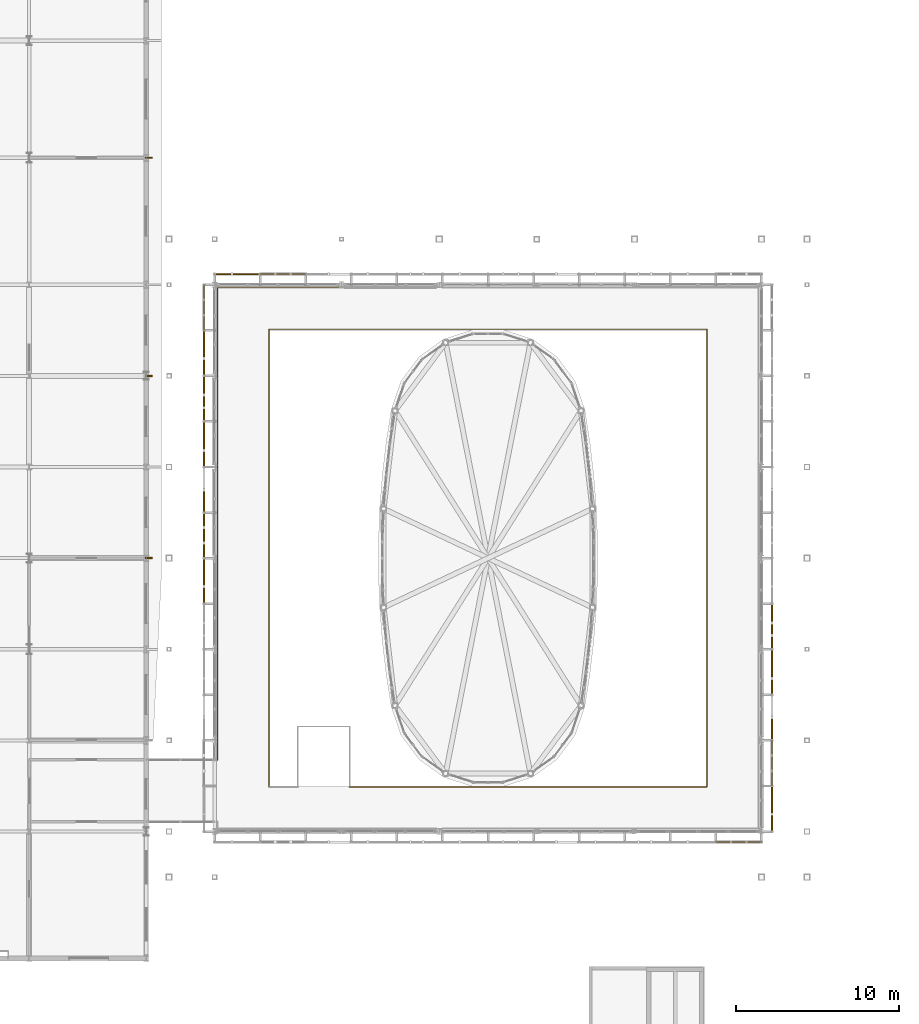
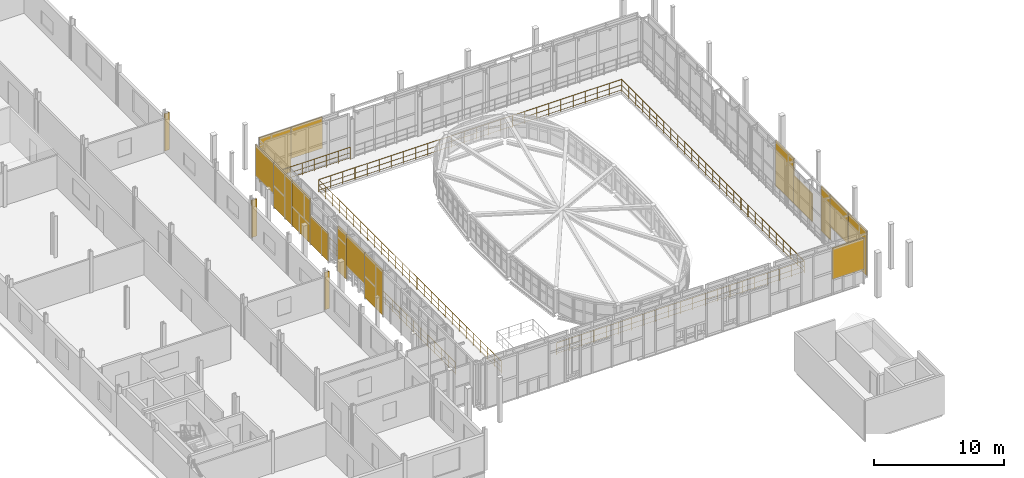
# One storey, part 74 of 78: 18 shading devices, 2 railings.
"""IFC4 building model written with IfcOpenShell, lengths in metres."""

from ifc_helpers import new_model, si_unit, direction, frame, origin, origin_2d, place, context, subcontext, project, spatial, rectangle, circle, extrude, material, type_object, element, save


model = new_model("IFC4")

# Units and contexts
model_context = context("Model", 3, precision=1e-05, world=origin(), true_north=direction((0.0, 1.0)))
body_context = subcontext(model_context, "Body", "Model", "MODEL_VIEW")
ifc_project = project(units=[si_unit("LENGTHUNIT", "METRE"), si_unit("AREAUNIT", "SQUARE_METRE"), si_unit("VOLUMEUNIT", "CUBIC_METRE"), si_unit("PLANEANGLEUNIT", "RADIAN"), si_unit("MASSUNIT", "GRAM", prefix="KILO")], contexts=[model_context])

# Site, building, storey
site_placement = place(None, origin())
site = spatial("IfcSite", under=ifc_project, at=site_placement, CompositionType="ELEMENT")
building_placement = place(site_placement, origin())
building = spatial("IfcBuilding", under=site, at=building_placement, Name="Vinh Khe Railworks Police Headquarters", CompositionType="ELEMENT")
storey_placement = place(building_placement, frame((0.0, 0.0, 13.199951171875)))
storey = spatial("IfcBuildingStorey", under=building, at=storey_placement, Name="L03", CompositionType="ELEMENT", Elevation=13.199951171875)

# Railings
ifc_material_1 = material(Name="Dark steel and laminated safety glass", Category="steel")
railing_type = type_object("IfcRailingType", Name="RL-ATRIUM-1150", PredefinedType="BALUSTRADE", material=ifc_material_1)
railing_1_placement = place(storey_placement, frame((29.739990234375, 27.93994140625, 0.0)))
element("IfcRailing", 1, at=railing_1_placement, inside=storey, type_object=railing_type, Name="Atrium Balustrade GR-V1HOLE-L03-1-01", PredefinedType="BALUSTRADE", context=body_context, shape_type="SweptSolid", body=[
    extrude(circle(Radius=0.02392578125, at=origin_2d()), frame((0.0, 0.0, 1.1259765625), z_axis=(0.0, 1.0, 0.0), x_axis=(-1.0, 0.0, 0.0)), (0.0, 0.0, 1.0), 28.1201171875),
    extrude(circle(Radius=0.01416015625, at=origin_2d()), frame((0.0, 0.0, 0.137939453125), z_axis=(0.0, 1.0, 0.0), x_axis=(-1.0, 0.0, 0.0)), (0.0, 0.0, 1.0), 28.1201171875),
    extrude(circle(Radius=0.01416015625, at=origin_2d()), frame((0.0, 0.0, 0.597900390625), z_axis=(0.0, 1.0, 0.0), x_axis=(-1.0, 0.0, 0.0)), (0.0, 0.0, 1.0), 28.1201171875),
    extrude(circle(Radius=0.02392578125, at=origin_2d()), frame((0.0, 28.1201171875, 1.1259765625), z_axis=(1.0, 0.0, 0.0), x_axis=(0.0, 1.0, 0.0)), (0.0, 0.0, 1.0), 26.919921875),
    extrude(circle(Radius=0.01416015625, at=origin_2d()), frame((0.0, 28.1201171875, 0.137939453125), z_axis=(1.0, 0.0, 0.0), x_axis=(0.0, 1.0, 0.0)), (0.0, 0.0, 1.0), 26.919921875),
    extrude(circle(Radius=0.01416015625, at=origin_2d()), frame((0.0, 28.1201171875, 0.597900390625), z_axis=(1.0, 0.0, 0.0), x_axis=(0.0, 1.0, 0.0)), (0.0, 0.0, 1.0), 26.919921875),
    extrude(circle(Radius=0.02392578125, at=origin_2d()), frame((26.919921875, 28.1201171875, 1.1259765625), z_axis=(0.0, -1.0, 0.0), x_axis=(1.0, 0.0, 0.0)), (0.0, 0.0, 1.0), 28.1201171875),
    extrude(circle(Radius=0.01416015625, at=origin_2d()), frame((26.919921875, 28.1201171875, 0.137939453125), z_axis=(0.0, -1.0, 0.0), x_axis=(1.0, 0.0, 0.0)), (0.0, 0.0, 1.0), 28.1201171875),
    extrude(circle(Radius=0.01416015625, at=origin_2d()), frame((26.919921875, 28.1201171875, 0.597900390625), z_axis=(0.0, -1.0, 0.0), x_axis=(1.0, 0.0, 0.0)), (0.0, 0.0, 1.0), 28.1201171875),
    extrude(circle(Radius=0.02392578125, at=origin_2d()), frame((26.919921875, 0.0, 1.1259765625), z_axis=(-1.0, 0.0, 0.0), x_axis=(0.0, -1.0, 0.0)), (0.0, 0.0, 1.0), 21.97998046875),
    extrude(circle(Radius=0.01416015625, at=origin_2d()), frame((26.919921875, 0.0, 0.137939453125), z_axis=(-1.0, 0.0, 0.0), x_axis=(0.0, -1.0, 0.0)), (0.0, 0.0, 1.0), 21.97998046875),
    extrude(circle(Radius=0.01416015625, at=origin_2d()), frame((26.919921875, 0.0, 0.597900390625), z_axis=(-1.0, 0.0, 0.0), x_axis=(0.0, -1.0, 0.0)), (0.0, 0.0, 1.0), 21.97998046875),
    extrude(circle(Radius=0.02099609375, at=origin_2d()), origin(), (0.0, 0.0, 1.0), 1.101806640625),
    extrude(circle(Radius=0.02099609375, at=origin_2d()), frame((0.0, 1.08154296875, 0.0)), (0.0, 0.0, 1.0), 1.101806640625),
    extrude(circle(Radius=0.02099609375, at=origin_2d()), frame((0.0, 2.1630859375, 0.0)), (0.0, 0.0, 1.0), 1.101806640625),
    extrude(circle(Radius=0.02099609375, at=origin_2d()), frame((0.0, 3.24462890625, 0.0)), (0.0, 0.0, 1.0), 1.101806640625),
    extrude(circle(Radius=0.02099609375, at=origin_2d()), frame((0.0, 4.326171875, 0.0)), (0.0, 0.0, 1.0), 1.101806640625),
    extrude(circle(Radius=0.02099609375, at=origin_2d()), frame((0.0, 5.40771484375, 0.0)), (0.0, 0.0, 1.0), 1.101806640625),
    extrude(circle(Radius=0.02099609375, at=origin_2d()), frame((0.0, 6.4892578125, 0.0)), (0.0, 0.0, 1.0), 1.101806640625),
    extrude(circle(Radius=0.02099609375, at=origin_2d()), frame((0.0, 7.57080078125, 0.0)), (0.0, 0.0, 1.0), 1.101806640625),
    extrude(circle(Radius=0.02099609375, at=origin_2d()), frame((0.0, 8.65234375, 0.0)), (0.0, 0.0, 1.0), 1.101806640625),
    extrude(circle(Radius=0.02099609375, at=origin_2d()), frame((0.0, 9.73388671875, 0.0)), (0.0, 0.0, 1.0), 1.101806640625),
    extrude(circle(Radius=0.02099609375, at=origin_2d()), frame((0.0, 10.8154296875, 0.0)), (0.0, 0.0, 1.0), 1.101806640625),
    extrude(circle(Radius=0.02099609375, at=origin_2d()), frame((0.0, 11.89697265625, 0.0)), (0.0, 0.0, 1.0), 1.101806640625),
    extrude(circle(Radius=0.02099609375, at=origin_2d()), frame((0.0, 12.978515625, 0.0)), (0.0, 0.0, 1.0), 1.101806640625),
    extrude(circle(Radius=0.02099609375, at=origin_2d()), frame((0.0, 14.06005859375, 0.0)), (0.0, 0.0, 1.0), 1.101806640625),
    extrude(circle(Radius=0.02099609375, at=origin_2d()), frame((0.0, 15.1416015625, 0.0)), (0.0, 0.0, 1.0), 1.101806640625),
    extrude(circle(Radius=0.02099609375, at=origin_2d()), frame((0.0, 16.22314453125, 0.0)), (0.0, 0.0, 1.0), 1.101806640625),
    extrude(circle(Radius=0.02099609375, at=origin_2d()), frame((0.0, 17.3046875, 0.0)), (0.0, 0.0, 1.0), 1.101806640625),
    extrude(circle(Radius=0.02099609375, at=origin_2d()), frame((0.0, 18.38623046875, 0.0)), (0.0, 0.0, 1.0), 1.101806640625),
    extrude(circle(Radius=0.02099609375, at=origin_2d()), frame((0.0, 19.4677734375, 0.0)), (0.0, 0.0, 1.0), 1.101806640625),
    extrude(circle(Radius=0.02099609375, at=origin_2d()), frame((0.0, 20.54931640625, 0.0)), (0.0, 0.0, 1.0), 1.101806640625),
    extrude(circle(Radius=0.02099609375, at=origin_2d()), frame((0.0, 21.630859375, 0.0)), (0.0, 0.0, 1.0), 1.101806640625),
    extrude(circle(Radius=0.02099609375, at=origin_2d()), frame((0.0, 22.71240234375, 0.0)), (0.0, 0.0, 1.0), 1.101806640625),
    extrude(circle(Radius=0.02099609375, at=origin_2d()), frame((0.0, 23.7939453125, 0.0)), (0.0, 0.0, 1.0), 1.101806640625),
    extrude(circle(Radius=0.02099609375, at=origin_2d()), frame((0.0, 24.87548828125, 0.0)), (0.0, 0.0, 1.0), 1.101806640625),
    extrude(circle(Radius=0.02099609375, at=origin_2d()), frame((0.0, 25.95703125, 0.0)), (0.0, 0.0, 1.0), 1.101806640625),
    extrude(circle(Radius=0.02099609375, at=origin_2d()), frame((0.0, 27.03857421875, 0.0)), (0.0, 0.0, 1.0), 1.101806640625),
    extrude(circle(Radius=0.02099609375, at=origin_2d()), frame((0.0, 28.1201171875, 0.0)), (0.0, 0.0, 1.0), 1.101806640625),
    extrude(circle(Radius=0.02099609375, at=origin_2d()), frame((1.076904296875, 28.1201171875, 0.0)), (0.0, 0.0, 1.0), 1.101806640625),
    extrude(circle(Radius=0.02099609375, at=origin_2d()), frame((2.153564453125, 28.1201171875, 0.0)), (0.0, 0.0, 1.0), 1.101806640625),
    extrude(circle(Radius=0.02099609375, at=origin_2d()), frame((3.23046875, 28.1201171875, 0.0)), (0.0, 0.0, 1.0), 1.101806640625),
    extrude(circle(Radius=0.02099609375, at=origin_2d()), frame((4.30712890625, 28.1201171875, 0.0)), (0.0, 0.0, 1.0), 1.101806640625),
    extrude(circle(Radius=0.02099609375, at=origin_2d()), frame((5.384033203125, 28.1201171875, 0.0)), (0.0, 0.0, 1.0), 1.101806640625),
    extrude(circle(Radius=0.02099609375, at=origin_2d()), frame((6.460693359375, 28.1201171875, 0.0)), (0.0, 0.0, 1.0), 1.101806640625),
    extrude(circle(Radius=0.02099609375, at=origin_2d()), frame((7.53759765625, 28.1201171875, 0.0)), (0.0, 0.0, 1.0), 1.101806640625),
    extrude(circle(Radius=0.02099609375, at=origin_2d()), frame((8.6142578125, 28.1201171875, 0.0)), (0.0, 0.0, 1.0), 1.101806640625),
    extrude(circle(Radius=0.02099609375, at=origin_2d()), frame((9.691162109375, 28.1201171875, 0.0)), (0.0, 0.0, 1.0), 1.101806640625),
    extrude(circle(Radius=0.02099609375, at=origin_2d()), frame((10.76806640625, 28.1201171875, 0.0)), (0.0, 0.0, 1.0), 1.101806640625),
    extrude(circle(Radius=0.02099609375, at=origin_2d()), frame((11.8447265625, 28.1201171875, 0.0)), (0.0, 0.0, 1.0), 1.101806640625),
    extrude(circle(Radius=0.02099609375, at=origin_2d()), frame((12.921630859375, 28.1201171875, 0.0)), (0.0, 0.0, 1.0), 1.101806640625),
    extrude(circle(Radius=0.02099609375, at=origin_2d()), frame((13.998291015625, 28.1201171875, 0.0)), (0.0, 0.0, 1.0), 1.101806640625),
    extrude(circle(Radius=0.02099609375, at=origin_2d()), frame((15.0751953125, 28.1201171875, 0.0)), (0.0, 0.0, 1.0), 1.101806640625),
    extrude(circle(Radius=0.02099609375, at=origin_2d()), frame((16.15185546875, 28.1201171875, 0.0)), (0.0, 0.0, 1.0), 1.101806640625),
    extrude(circle(Radius=0.02099609375, at=origin_2d()), frame((17.228759765625, 28.1201171875, 0.0)), (0.0, 0.0, 1.0), 1.101806640625),
    extrude(circle(Radius=0.02099609375, at=origin_2d()), frame((18.3056640625, 28.1201171875, 0.0)), (0.0, 0.0, 1.0), 1.101806640625),
    extrude(circle(Radius=0.02099609375, at=origin_2d()), frame((19.38232421875, 28.1201171875, 0.0)), (0.0, 0.0, 1.0), 1.101806640625),
    extrude(circle(Radius=0.02099609375, at=origin_2d()), frame((20.459228515625, 28.1201171875, 0.0)), (0.0, 0.0, 1.0), 1.101806640625),
    extrude(circle(Radius=0.02099609375, at=origin_2d()), frame((21.535888671875, 28.1201171875, 0.0)), (0.0, 0.0, 1.0), 1.101806640625),
    extrude(circle(Radius=0.02099609375, at=origin_2d()), frame((22.61279296875, 28.1201171875, 0.0)), (0.0, 0.0, 1.0), 1.101806640625),
    extrude(circle(Radius=0.02099609375, at=origin_2d()), frame((23.689453125, 28.1201171875, 0.0)), (0.0, 0.0, 1.0), 1.101806640625),
    extrude(circle(Radius=0.02099609375, at=origin_2d()), frame((24.766357421875, 28.1201171875, 0.0)), (0.0, 0.0, 1.0), 1.101806640625),
    extrude(circle(Radius=0.02099609375, at=origin_2d()), frame((25.843017578125, 28.1201171875, 0.0)), (0.0, 0.0, 1.0), 1.101806640625),
    extrude(circle(Radius=0.02099609375, at=origin_2d()), frame((26.919921875, 28.1201171875, 0.0)), (0.0, 0.0, 1.0), 1.101806640625),
    extrude(circle(Radius=0.02099609375, at=origin_2d()), frame((26.919921875, 27.03857421875, 0.0)), (0.0, 0.0, 1.0), 1.101806640625),
    extrude(circle(Radius=0.02099609375, at=origin_2d()), frame((26.919921875, 25.95703125, 0.0)), (0.0, 0.0, 1.0), 1.101806640625),
    extrude(circle(Radius=0.02099609375, at=origin_2d()), frame((26.919921875, 24.87548828125, 0.0)), (0.0, 0.0, 1.0), 1.101806640625),
    extrude(circle(Radius=0.02099609375, at=origin_2d()), frame((26.919921875, 23.7939453125, 0.0)), (0.0, 0.0, 1.0), 1.101806640625),
    extrude(circle(Radius=0.02099609375, at=origin_2d()), frame((26.919921875, 22.71240234375, 0.0)), (0.0, 0.0, 1.0), 1.101806640625),
    extrude(circle(Radius=0.02099609375, at=origin_2d()), frame((26.919921875, 21.630859375, 0.0)), (0.0, 0.0, 1.0), 1.101806640625),
    extrude(circle(Radius=0.02099609375, at=origin_2d()), frame((26.919921875, 20.54931640625, 0.0)), (0.0, 0.0, 1.0), 1.101806640625),
    extrude(circle(Radius=0.02099609375, at=origin_2d()), frame((26.919921875, 19.4677734375, 0.0)), (0.0, 0.0, 1.0), 1.101806640625),
    extrude(circle(Radius=0.02099609375, at=origin_2d()), frame((26.919921875, 18.38623046875, 0.0)), (0.0, 0.0, 1.0), 1.101806640625),
    extrude(circle(Radius=0.02099609375, at=origin_2d()), frame((26.919921875, 17.3046875, 0.0)), (0.0, 0.0, 1.0), 1.101806640625),
    extrude(circle(Radius=0.02099609375, at=origin_2d()), frame((26.919921875, 16.22314453125, 0.0)), (0.0, 0.0, 1.0), 1.101806640625),
    extrude(circle(Radius=0.02099609375, at=origin_2d()), frame((26.919921875, 15.1416015625, 0.0)), (0.0, 0.0, 1.0), 1.101806640625),
    extrude(circle(Radius=0.02099609375, at=origin_2d()), frame((26.919921875, 14.06005859375, 0.0)), (0.0, 0.0, 1.0), 1.101806640625),
    extrude(circle(Radius=0.02099609375, at=origin_2d()), frame((26.919921875, 12.978515625, 0.0)), (0.0, 0.0, 1.0), 1.101806640625),
    extrude(circle(Radius=0.02099609375, at=origin_2d()), frame((26.919921875, 11.89697265625, 0.0)), (0.0, 0.0, 1.0), 1.101806640625),
    extrude(circle(Radius=0.02099609375, at=origin_2d()), frame((26.919921875, 10.8154296875, 0.0)), (0.0, 0.0, 1.0), 1.101806640625),
    extrude(circle(Radius=0.02099609375, at=origin_2d()), frame((26.919921875, 9.73388671875, 0.0)), (0.0, 0.0, 1.0), 1.101806640625),
    extrude(circle(Radius=0.02099609375, at=origin_2d()), frame((26.919921875, 8.65234375, 0.0)), (0.0, 0.0, 1.0), 1.101806640625),
    extrude(circle(Radius=0.02099609375, at=origin_2d()), frame((26.919921875, 7.57080078125, 0.0)), (0.0, 0.0, 1.0), 1.101806640625),
    extrude(circle(Radius=0.02099609375, at=origin_2d()), frame((26.919921875, 6.4892578125, 0.0)), (0.0, 0.0, 1.0), 1.101806640625),
    extrude(circle(Radius=0.02099609375, at=origin_2d()), frame((26.919921875, 5.40771484375, 0.0)), (0.0, 0.0, 1.0), 1.101806640625),
    extrude(circle(Radius=0.02099609375, at=origin_2d()), frame((26.919921875, 4.326171875, 0.0)), (0.0, 0.0, 1.0), 1.101806640625),
    extrude(circle(Radius=0.02099609375, at=origin_2d()), frame((26.919921875, 3.24462890625, 0.0)), (0.0, 0.0, 1.0), 1.101806640625),
    extrude(circle(Radius=0.02099609375, at=origin_2d()), frame((26.919921875, 2.1630859375, 0.0)), (0.0, 0.0, 1.0), 1.101806640625),
    extrude(circle(Radius=0.02099609375, at=origin_2d()), frame((26.919921875, 1.08154296875, 0.0)), (0.0, 0.0, 1.0), 1.101806640625),
    extrude(circle(Radius=0.02099609375, at=origin_2d()), frame((26.919921875, 0.0, 0.0)), (0.0, 0.0, 1.0), 1.101806640625),
    extrude(circle(Radius=0.02099609375, at=origin_2d()), frame((25.82080078125, 0.0, 0.0)), (0.0, 0.0, 1.0), 1.101806640625),
    extrude(circle(Radius=0.02099609375, at=origin_2d()), frame((24.721923828125, 0.0, 0.0)), (0.0, 0.0, 1.0), 1.101806640625),
    extrude(circle(Radius=0.02099609375, at=origin_2d()), frame((23.623046875, 0.0, 0.0)), (0.0, 0.0, 1.0), 1.101806640625),
    extrude(circle(Radius=0.02099609375, at=origin_2d()), frame((22.52392578125, 0.0, 0.0)), (0.0, 0.0, 1.0), 1.101806640625),
    extrude(circle(Radius=0.02099609375, at=origin_2d()), frame((21.4248046875, 0.0, 0.0)), (0.0, 0.0, 1.0), 1.101806640625),
    extrude(circle(Radius=0.02099609375, at=origin_2d()), frame((20.325927734375, 0.0, 0.0)), (0.0, 0.0, 1.0), 1.101806640625),
    extrude(circle(Radius=0.02099609375, at=origin_2d()), frame((19.22705078125, 0.0, 0.0)), (0.0, 0.0, 1.0), 1.101806640625),
    extrude(circle(Radius=0.02099609375, at=origin_2d()), frame((18.1279296875, 0.0, 0.0)), (0.0, 0.0, 1.0), 1.101806640625),
    extrude(circle(Radius=0.02099609375, at=origin_2d()), frame((17.02880859375, 0.0, 0.0)), (0.0, 0.0, 1.0), 1.101806640625),
    extrude(circle(Radius=0.02099609375, at=origin_2d()), frame((15.929931640625, 0.0, 0.0)), (0.0, 0.0, 1.0), 1.101806640625),
    extrude(circle(Radius=0.02099609375, at=origin_2d()), frame((14.830810546875, 0.0, 0.0)), (0.0, 0.0, 1.0), 1.101806640625),
    extrude(circle(Radius=0.02099609375, at=origin_2d()), frame((13.73193359375, 0.0, 0.0)), (0.0, 0.0, 1.0), 1.101806640625),
    extrude(circle(Radius=0.02099609375, at=origin_2d()), frame((12.6328125, 0.0, 0.0)), (0.0, 0.0, 1.0), 1.101806640625),
    extrude(circle(Radius=0.02099609375, at=origin_2d()), frame((11.533935546875, 0.0, 0.0)), (0.0, 0.0, 1.0), 1.101806640625),
    extrude(circle(Radius=0.02099609375, at=origin_2d()), frame((10.43505859375, 0.0, 0.0)), (0.0, 0.0, 1.0), 1.101806640625),
    extrude(circle(Radius=0.02099609375, at=origin_2d()), frame((9.3359375, 0.0, 0.0)), (0.0, 0.0, 1.0), 1.101806640625),
    extrude(circle(Radius=0.02099609375, at=origin_2d()), frame((8.23681640625, 0.0, 0.0)), (0.0, 0.0, 1.0), 1.101806640625),
    extrude(circle(Radius=0.02099609375, at=origin_2d()), frame((7.137939453125, 0.0, 0.0)), (0.0, 0.0, 1.0), 1.101806640625),
    extrude(circle(Radius=0.02099609375, at=origin_2d()), frame((6.0390625, 0.0, 0.0)), (0.0, 0.0, 1.0), 1.101806640625),
    extrude(circle(Radius=0.02099609375, at=origin_2d()), frame((4.93994140625, 0.0, 0.0)), (0.0, 0.0, 1.0), 1.101806640625),
])
railing_2_placement = place(storey_placement, frame((34.02490234375, 58.6201171875, 0.0)))
element("IfcRailing", 2, at=railing_2_placement, inside=storey, type_object=railing_type, Name="Atrium Balustrade GR-V1PERIM-L03-04", PredefinedType="BALUSTRADE", context=body_context, shape_type="SweptSolid", body=[
    extrude(circle(Radius=0.02392578125, at=origin_2d()), frame((0.0, 0.0, 1.1259765625), z_axis=(-1.0, 0.0, 0.0), x_axis=(0.0, -1.0, 0.0)), (0.0, 0.0, 1.0), 7.44482421875),
    extrude(circle(Radius=0.01416015625, at=origin_2d()), frame((0.0, 0.0, 0.137939453125), z_axis=(-1.0, 0.0, 0.0), x_axis=(0.0, -1.0, 0.0)), (0.0, 0.0, 1.0), 7.44482421875),
    extrude(circle(Radius=0.01416015625, at=origin_2d()), frame((0.0, 0.0, 0.597900390625), z_axis=(-1.0, 0.0, 0.0), x_axis=(0.0, -1.0, 0.0)), (0.0, 0.0, 1.0), 7.44482421875),
    extrude(circle(Radius=0.02392578125, at=origin_2d()), frame((-7.44482421875, 0.0, 1.1259765625), z_axis=(0.0, -1.0, 0.0), x_axis=(1.0, 0.0, 0.0)), (0.0, 0.0, 1.0), 29.0400390625),
    extrude(circle(Radius=0.01416015625, at=origin_2d()), frame((-7.44482421875, 0.0, 0.137939453125), z_axis=(0.0, -1.0, 0.0), x_axis=(1.0, 0.0, 0.0)), (0.0, 0.0, 1.0), 29.0400390625),
    extrude(circle(Radius=0.01416015625, at=origin_2d()), frame((-7.44482421875, 0.0, 0.597900390625), z_axis=(0.0, -1.0, 0.0), x_axis=(1.0, 0.0, 0.0)), (0.0, 0.0, 1.0), 29.0400390625),
    extrude(circle(Radius=0.02099609375, at=origin_2d()), origin(), (0.0, 0.0, 1.0), 1.101806640625),
    extrude(circle(Radius=0.02099609375, at=origin_2d()), frame((-1.0634765625, 0.0, 0.0)), (0.0, 0.0, 1.0), 1.101806640625),
    extrude(circle(Radius=0.02099609375, at=origin_2d()), frame((-2.127197265625, 0.0, 0.0)), (0.0, 0.0, 1.0), 1.101806640625),
    extrude(circle(Radius=0.02099609375, at=origin_2d()), frame((-3.190673828125, 0.0, 0.0)), (0.0, 0.0, 1.0), 1.101806640625),
    extrude(circle(Radius=0.02099609375, at=origin_2d()), frame((-4.254150390625, 0.0, 0.0)), (0.0, 0.0, 1.0), 1.101806640625),
    extrude(circle(Radius=0.02099609375, at=origin_2d()), frame((-5.317626953125, 0.0, 0.0)), (0.0, 0.0, 1.0), 1.101806640625),
    extrude(circle(Radius=0.02099609375, at=origin_2d()), frame((-6.38134765625, 0.0, 0.0)), (0.0, 0.0, 1.0), 1.101806640625),
    extrude(circle(Radius=0.02099609375, at=origin_2d()), frame((-7.44482421875, 0.0, 0.0)), (0.0, 0.0, 1.0), 1.101806640625),
    extrude(circle(Radius=0.02099609375, at=origin_2d()), frame((-7.44482421875, -1.075439453125, 0.0)), (0.0, 0.0, 1.0), 1.101806640625),
    extrude(circle(Radius=0.02099609375, at=origin_2d()), frame((-7.44482421875, -2.151123046875, 0.0)), (0.0, 0.0, 1.0), 1.101806640625),
    extrude(circle(Radius=0.02099609375, at=origin_2d()), frame((-7.44482421875, -3.2265625, 0.0)), (0.0, 0.0, 1.0), 1.101806640625),
    extrude(circle(Radius=0.02099609375, at=origin_2d()), frame((-7.44482421875, -4.30224609375, 0.0)), (0.0, 0.0, 1.0), 1.101806640625),
    extrude(circle(Radius=0.02099609375, at=origin_2d()), frame((-7.44482421875, -5.377685546875, 0.0)), (0.0, 0.0, 1.0), 1.101806640625),
    extrude(circle(Radius=0.02099609375, at=origin_2d()), frame((-7.44482421875, -6.453369140625, 0.0)), (0.0, 0.0, 1.0), 1.101806640625),
    extrude(circle(Radius=0.02099609375, at=origin_2d()), frame((-7.44482421875, -7.52880859375, 0.0)), (0.0, 0.0, 1.0), 1.101806640625),
    extrude(circle(Radius=0.02099609375, at=origin_2d()), frame((-7.44482421875, -8.6044921875, 0.0)), (0.0, 0.0, 1.0), 1.101806640625),
    extrude(circle(Radius=0.02099609375, at=origin_2d()), frame((-7.44482421875, -9.679931640625, 0.0)), (0.0, 0.0, 1.0), 1.101806640625),
    extrude(circle(Radius=0.02099609375, at=origin_2d()), frame((-7.44482421875, -10.755615234375, 0.0)), (0.0, 0.0, 1.0), 1.101806640625),
    extrude(circle(Radius=0.02099609375, at=origin_2d()), frame((-7.44482421875, -11.8310546875, 0.0)), (0.0, 0.0, 1.0), 1.101806640625),
    extrude(circle(Radius=0.02099609375, at=origin_2d()), frame((-7.44482421875, -12.90673828125, 0.0)), (0.0, 0.0, 1.0), 1.101806640625),
    extrude(circle(Radius=0.02099609375, at=origin_2d()), frame((-7.44482421875, -13.982177734375, 0.0)), (0.0, 0.0, 1.0), 1.101806640625),
    extrude(circle(Radius=0.02099609375, at=origin_2d()), frame((-7.44482421875, -15.057861328125, 0.0)), (0.0, 0.0, 1.0), 1.101806640625),
    extrude(circle(Radius=0.02099609375, at=origin_2d()), frame((-7.44482421875, -16.13330078125, 0.0)), (0.0, 0.0, 1.0), 1.101806640625),
    extrude(circle(Radius=0.02099609375, at=origin_2d()), frame((-7.44482421875, -17.208984375, 0.0)), (0.0, 0.0, 1.0), 1.101806640625),
    extrude(circle(Radius=0.02099609375, at=origin_2d()), frame((-7.44482421875, -18.284423828125, 0.0)), (0.0, 0.0, 1.0), 1.101806640625),
    extrude(circle(Radius=0.02099609375, at=origin_2d()), frame((-7.44482421875, -19.360107421875, 0.0)), (0.0, 0.0, 1.0), 1.101806640625),
    extrude(circle(Radius=0.02099609375, at=origin_2d()), frame((-7.44482421875, -20.435546875, 0.0)), (0.0, 0.0, 1.0), 1.101806640625),
    extrude(circle(Radius=0.02099609375, at=origin_2d()), frame((-7.44482421875, -21.51123046875, 0.0)), (0.0, 0.0, 1.0), 1.101806640625),
    extrude(circle(Radius=0.02099609375, at=origin_2d()), frame((-7.44482421875, -22.586669921875, 0.0)), (0.0, 0.0, 1.0), 1.101806640625),
    extrude(circle(Radius=0.02099609375, at=origin_2d()), frame((-7.44482421875, -23.662353515625, 0.0)), (0.0, 0.0, 1.0), 1.101806640625),
    extrude(circle(Radius=0.02099609375, at=origin_2d()), frame((-7.44482421875, -24.73779296875, 0.0)), (0.0, 0.0, 1.0), 1.101806640625),
    extrude(circle(Radius=0.02099609375, at=origin_2d()), frame((-7.44482421875, -25.8134765625, 0.0)), (0.0, 0.0, 1.0), 1.101806640625),
    extrude(circle(Radius=0.02099609375, at=origin_2d()), frame((-7.44482421875, -26.888916015625, 0.0)), (0.0, 0.0, 1.0), 1.101806640625),
    extrude(circle(Radius=0.02099609375, at=origin_2d()), frame((-7.44482421875, -27.964599609375, 0.0)), (0.0, 0.0, 1.0), 1.101806640625),
    extrude(circle(Radius=0.02099609375, at=origin_2d()), frame((-7.44482421875, -29.0400390625, 0.0)), (0.0, 0.0, 1.0), 1.101806640625),
])

# Shading devices
ifc_material_2 = material(Name="Salvaged ironwood timber", Category="wood")
shading_device_type_1 = type_object("IfcShadingDeviceType", Name="SHD-MSF-01", PredefinedType="JALOUSIE", material=ifc_material_2)
for number, where, z_axis, x_axis, name in (
    (3, (22.360107421875, 42.0, 0.10009765625), (0.0, 0.0, 1.0), (1.0, 0.0, 0.0), "Monsoon Court Solar Fin V5 L03-2"),
    (4, (22.360107421875, 53.199951171875, 0.10009765625), (0.0, 0.0, 1.0), (1.0, 0.0, 0.0), "Monsoon Court Solar Fin V5 L03-3"),
    (5, (22.360107421875, 66.60009765625, 0.10009765625), (0.0, 0.0, 1.0), (1.0, 0.0, 0.0), "Monsoon Court Solar Fin V5 L03-4"),
):
    element("IfcShadingDevice", number, at=place(storey_placement, frame(where, z_axis=z_axis, x_axis=x_axis)), inside=storey, type_object=shading_device_type_1, Name=name, PredefinedType="JALOUSIE", context=body_context, shape_type="SweptSolid", body=[
        extrude(rectangle(XDim=0.419921875, YDim=0.080078125, at=origin_2d()), origin(), (0.0, 0.0, 1.0), 3.5),
    ])
shading_device_type_2 = type_object("IfcShadingDeviceType", Name="SHD-QS-01", PredefinedType="JALOUSIE", material=ifc_material_2)
for number, where, z_axis, x_axis, name in (
    (6, (58.60009765625, 24.550048828125, 1.260009765625), (0.0, 0.0, 1.0), (1.0, 0.0, 0.0), "Salvaged Ironwood Upper Quilt Frame S-12"),
    (7, (30.60009765625, 59.449951171875, 1.260009765625), (0.0, 0.0, 1.0), (1.0, 0.0, 0.0), "Salvaged Ironwood Upper Quilt Frame N-2"),
    (8, (60.64990234375, 29.39990234375, 1.260009765625), (0.0, 0.0, 1.0), (0.0, 1.0, 0.0), "Salvaged Ironwood Upper Quilt Frame E-2"),
):
    element("IfcShadingDevice", number, at=place(storey_placement, frame(where, z_axis=z_axis, x_axis=x_axis)), inside=storey, type_object=shading_device_type_2, Name=name, PredefinedType="JALOUSIE", context=body_context, shape_type="SweptSolid", body=[
        extrude(rectangle(XDim=2.800048828125, YDim=0.090087890625, at=origin_2d()), origin(), (0.0, 0.0, 1.0), 2.93994140625),
    ])
shading_device_1_placement = place(storey_placement, frame((60.64990234375, 35.0, 0.0), z_axis=(0.0, 0.0, 1.0), x_axis=(0.0, 1.0, 0.0)))
element("IfcShadingDevice", 9, at=shading_device_1_placement, inside=storey, type_object=shading_device_type_2, Name="Salvaged Ironwood Quilt Casement E-4", PredefinedType="JALOUSIE", context=body_context, shape_type="SweptSolid", body=[
    extrude(rectangle(XDim=2.800048828125, YDim=0.090087890625, at=origin_2d()), origin(), (0.0, 0.0, 1.0), 2.60400390625),
])
shading_device_2_placement = place(storey_placement, frame((25.75, 43.39990234375, 1.260009765625), z_axis=(0.0, 0.0, 1.0), x_axis=(0.0, 1.0, 0.0)))
element("IfcShadingDevice", 10, at=shading_device_2_placement, inside=storey, type_object=shading_device_type_2, Name="Salvaged Ironwood Upper Quilt Frame W-7", PredefinedType="JALOUSIE", context=body_context, shape_type="SweptSolid", body=[
    extrude(rectangle(XDim=2.800048828125, YDim=0.090087890625, at=origin_2d()), origin(), (0.0, 0.0, 1.0), 2.93994140625),
])
shading_device_3_placement = place(storey_placement, frame((25.75, 49.0, 0.0), z_axis=(0.0, 0.0, 1.0), x_axis=(0.0, 1.0, 0.0)))
element("IfcShadingDevice", 11, at=shading_device_3_placement, inside=storey, type_object=shading_device_type_2, Name="Salvaged Ironwood Quilt Casement W-9", PredefinedType="JALOUSIE", context=body_context, shape_type="SweptSolid", body=[
    extrude(rectangle(XDim=2.800048828125, YDim=0.090087890625, at=origin_2d()), origin(), (0.0, 0.0, 1.0), 2.60400390625),
])
shading_device_4_placement = place(storey_placement, frame((25.75, 57.39990234375, 1.260009765625), z_axis=(0.0, 0.0, 1.0), x_axis=(0.0, 1.0, 0.0)))
element("IfcShadingDevice", 12, at=shading_device_4_placement, inside=storey, type_object=shading_device_type_2, Name="Salvaged Ironwood Upper Quilt Frame W-12", PredefinedType="JALOUSIE", context=body_context, shape_type="SweptSolid", body=[
    extrude(rectangle(XDim=2.800048828125, YDim=0.090087890625, at=origin_2d()), origin(), (0.0, 0.0, 1.0), 2.93994140625),
])
shading_device_type_3 = type_object("IfcShadingDeviceType", Name="SHD-QS-02", PredefinedType="JALOUSIE", material=ifc_material_2)
for number, where, z_axis, x_axis, name in (
    (13, (60.64990234375, 31.5, 0.0), (0.0, 0.0, 1.0), (0.0, 1.0, 0.0), "Ironwood Tall Quilt Casement E-3L"),
    (14, (25.75, 45.5, 0.0), (0.0, 0.0, 1.0), (0.0, 1.0, 0.0), "Ironwood Tall Quilt Casement W-8L"),
):
    element("IfcShadingDevice", number, at=place(storey_placement, frame(where, z_axis=z_axis, x_axis=x_axis)), inside=storey, type_object=shading_device_type_3, Name=name, PredefinedType="JALOUSIE", context=body_context, shape_type="SweptSolid", body=[
        extrude(rectangle(XDim=1.39990234375, YDim=0.090087890625, at=origin_2d()), origin(), (0.0, 0.0, 1.0), 4.199951171875),
    ])
ifc_material_3 = material(Name="Weathered architectural steel", Category="steel")
shading_device_type_4 = type_object("IfcShadingDeviceType", Name="SHD-QS-03", PredefinedType="SHUTTER", material=ifc_material_3)
for number, where, z_axis, x_axis, name in (
    (15, (27.800048828125, 59.449951171875, 0.0), (0.0, 0.0, 1.0), (1.0, 0.0, 0.0), "Dark Steel Patchwork Casement Frame N-1"),
    (16, (60.64990234375, 26.60009765625, 0.0), (0.0, 0.0, 1.0), (0.0, 1.0, 0.0), "Dark Steel Patchwork Casement Frame E-1"),
    (17, (25.75, 40.60009765625, 0.0), (0.0, 0.0, 1.0), (0.0, 1.0, 0.0), "Dark Steel Patchwork Casement Frame W-6"),
    (18, (25.75, 54.60009765625, 0.0), (0.0, 0.0, 1.0), (0.0, 1.0, 0.0), "Dark Steel Patchwork Casement Frame W-11"),
):
    element("IfcShadingDevice", number, at=place(storey_placement, frame(where, z_axis=z_axis, x_axis=x_axis)), inside=storey, type_object=shading_device_type_4, Name=name, PredefinedType="SHUTTER", context=body_context, shape_type="SweptSolid", body=[
        extrude(rectangle(XDim=2.800048828125, YDim=0.080078125, at=origin_2d()), origin(), (0.0, 0.0, 1.0), 4.199951171875),
    ])
shading_device_type_5 = type_object("IfcShadingDeviceType", Name="SHD-QS-04", PredefinedType="SHUTTER", material=ifc_material_2)
for number, where, z_axis, x_axis, name in (
    (19, (60.64990234375, 37.800048828125, 0.0), (0.0, 0.0, 1.0), (0.0, 1.0, 0.0), "Shuttered Ironwood Casement E-5"),
    (20, (25.75, 51.800048828125, 0.0), (0.0, 0.0, 1.0), (0.0, 1.0, 0.0), "Shuttered Ironwood Casement W-10"),
):
    element("IfcShadingDevice", number, at=place(storey_placement, frame(where, z_axis=z_axis, x_axis=x_axis)), inside=storey, type_object=shading_device_type_5, Name=name, PredefinedType="SHUTTER", context=body_context, shape_type="SweptSolid", body=[
        extrude(rectangle(XDim=2.800048828125, YDim=0.090087890625, at=origin_2d()), origin(), (0.0, 0.0, 1.0), 4.199951171875),
    ])

save(model, "model.ifc")
